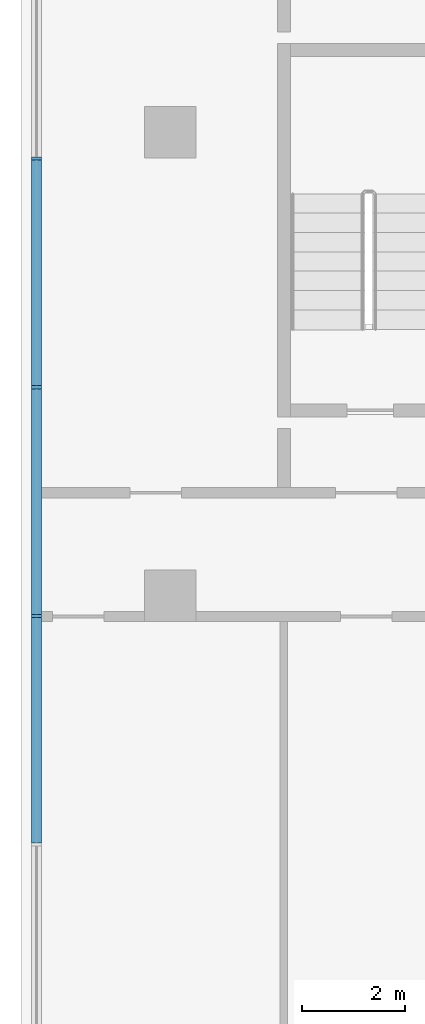
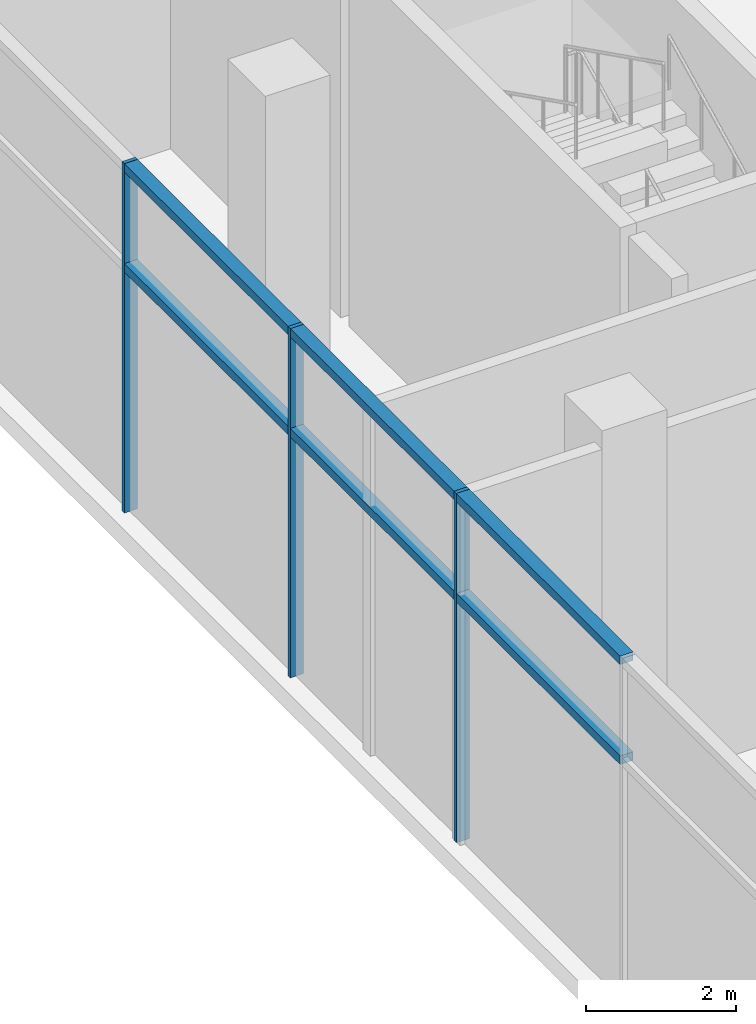
# One storey, part 3 of 22: 9 members, 1 element without a shape of its own.
"""IFC4 building model written with IfcOpenShell, lengths in metres."""

from ifc_helpers import new_model, si_unit, direction, frame, origin, origin_2d, place, context, subcontext, project, spatial, rectangle, extrude, material, material_profile, profile_set, type_object, element, aggregate, save


model = new_model("IFC4")

# Units and contexts
model_context = context("Model", 3, precision=1e-05, world=origin(), true_north=direction((0.0, 1.0)))
body_context = subcontext(model_context, "Body", "Model", "MODEL_VIEW")
ifc_project = project(units=[si_unit("LENGTHUNIT", "METRE"), si_unit("AREAUNIT", "SQUARE_METRE"), si_unit("VOLUMEUNIT", "CUBIC_METRE"), si_unit("PLANEANGLEUNIT", "RADIAN"), si_unit("MASSUNIT", "GRAM", prefix="KILO")], contexts=[model_context])

# Site, building, storey
site_placement = place(None, origin())
site = spatial("IfcSite", under=ifc_project, at=site_placement, CompositionType="ELEMENT")
building_placement = place(site_placement, origin())
building = spatial("IfcBuilding", under=site, at=building_placement, Name="Bicima Exchange Tower", CompositionType="ELEMENT")
storey_placement = place(building_placement, frame((0.0, 0.0, 14.0)))
storey = spatial("IfcBuildingStorey", under=building, at=storey_placement, Name="L02", CompositionType="ELEMENT", Elevation=14.0)

# Curtain wall, members
ifc_material = material(Name="Anodised bronze aluminium", Category="aluminium")
curtain_wall_type = type_object("IfcCurtainWallType", Name="Lobby glazing", PredefinedType="NOTDEFINED", material=ifc_material)
curtain_wall_placement = place(storey_placement, origin())
curtain_wall = element("IfcCurtainWall", 1, at=curtain_wall_placement, inside=storey, type_object=curtain_wall_type, Name="Podium glazing L02 west 1", PredefinedType="NOTDEFINED")
ifc_material_profile_1 = material_profile(ifc_material, rectangle(XDim=0.199951171875, YDim=0.06005859375, at=origin_2d()))
ifc_profile_set_1 = profile_set([ifc_material_profile_1], Name="Anodised bronze aluminium")
member_type_1 = type_object("IfcMemberType", Name="Lobby glazing mullion 60 x 200", PredefinedType="MULLION", material=ifc_profile_set_1)
member_1_placement = place(storey_placement, frame((-46.10009765625, -22.51318359375, 0.0), z_axis=(0.0, 0.0, 1.0), x_axis=(1.0, 0.0, 0.0)))
member_1 = element("IfcMember", 2, at=member_1_placement, type_object=member_type_1, Name="Lobby glazing mullion 6", PredefinedType="MULLION", context=body_context, shape_type="SweptSolid", body=[
    extrude(rectangle(XDim=0.199951171875, YDim=0.06005859375, at=origin_2d()), origin(), (0.0, 0.0, 1.0), 5.699951171875),
])
member_2_placement = place(storey_placement, frame((-46.10009765625, -26.949951171875, 0.0), z_axis=(0.0, 0.0, 1.0), x_axis=(1.0, 0.0, 0.0)))
member_2 = element("IfcMember", 3, at=member_2_placement, type_object=member_type_1, Name="Lobby glazing mullion 7", PredefinedType="MULLION", context=body_context, shape_type="SweptSolid", body=[
    extrude(rectangle(XDim=0.199951171875, YDim=0.06005859375, at=origin_2d()), origin(), (0.0, 0.0, 1.0), 5.699951171875),
])
member_3_placement = place(storey_placement, frame((-46.10009765625, -31.38671875, 0.0), z_axis=(0.0, 0.0, 1.0), x_axis=(1.0, 0.0, 0.0)))
member_3 = element("IfcMember", 4, at=member_3_placement, type_object=member_type_1, Name="Lobby glazing mullion 8", PredefinedType="MULLION", context=body_context, shape_type="SweptSolid", body=[
    extrude(rectangle(XDim=0.199951171875, YDim=0.06005859375, at=origin_2d()), origin(), (0.0, 0.0, 1.0), 5.699951171875),
])
ifc_material_profile_2 = material_profile(ifc_material, rectangle(XDim=0.199951171875, YDim=0.139892578125, at=origin_2d()))
ifc_profile_set_2 = profile_set([ifc_material_profile_2], Name="Anodised bronze aluminium")
member_type_2 = type_object("IfcMemberType", Name="Lobby glazing transom 140 x 200", PredefinedType="USERDEFINED", material=ifc_profile_set_2)
member_4_placement = place(storey_placement, frame((-46.10009765625, -22.543212890625, 4.0), z_axis=(0.0, -1.0, 0.0), x_axis=(1.0, 0.0, 0.0)))
member_4 = element("IfcMember", 5, at=member_4_placement, type_object=member_type_2, Name="Lobby glazing transom 6.1", ObjectType="TRANSOM", PredefinedType="USERDEFINED", context=body_context, shape_type="SweptSolid", body=[
    extrude(rectangle(XDim=0.199951171875, YDim=0.139892578125, at=origin_2d()), origin(), (0.0, 0.0, 1.0), 4.376708984375),
])
member_5_placement = place(storey_placement, frame((-46.10009765625, -22.543212890625, 5.6298828125), z_axis=(0.0, -1.0, 0.0), x_axis=(1.0, 0.0, 0.0)))
member_5 = element("IfcMember", 6, at=member_5_placement, type_object=member_type_2, Name="Lobby glazing transom 6.2", ObjectType="TRANSOM", PredefinedType="USERDEFINED", context=body_context, shape_type="SweptSolid", body=[
    extrude(rectangle(XDim=0.199951171875, YDim=0.139892578125, at=origin_2d()), origin(), (0.0, 0.0, 1.0), 4.376708984375),
])
member_6_placement = place(storey_placement, frame((-46.10009765625, -26.97998046875, 4.0), z_axis=(0.0, -1.0, 0.0), x_axis=(1.0, 0.0, 0.0)))
member_6 = element("IfcMember", 7, at=member_6_placement, type_object=member_type_2, Name="Lobby glazing transom 7.1", ObjectType="TRANSOM", PredefinedType="USERDEFINED", context=body_context, shape_type="SweptSolid", body=[
    extrude(rectangle(XDim=0.199951171875, YDim=0.139892578125, at=origin_2d()), origin(), (0.0, 0.0, 1.0), 4.376708984375),
])
member_7_placement = place(storey_placement, frame((-46.10009765625, -26.97998046875, 5.6298828125), z_axis=(0.0, -1.0, 0.0), x_axis=(1.0, 0.0, 0.0)))
member_7 = element("IfcMember", 8, at=member_7_placement, type_object=member_type_2, Name="Lobby glazing transom 7.2", ObjectType="TRANSOM", PredefinedType="USERDEFINED", context=body_context, shape_type="SweptSolid", body=[
    extrude(rectangle(XDim=0.199951171875, YDim=0.139892578125, at=origin_2d()), origin(), (0.0, 0.0, 1.0), 4.376708984375),
])
member_8_placement = place(storey_placement, frame((-46.10009765625, -31.416748046875, 4.0), z_axis=(0.0, -1.0, 0.0), x_axis=(1.0, 0.0, 0.0)))
member_8 = element("IfcMember", 9, at=member_8_placement, type_object=member_type_2, Name="Lobby glazing transom 8.1", ObjectType="TRANSOM", PredefinedType="USERDEFINED", context=body_context, shape_type="SweptSolid", body=[
    extrude(rectangle(XDim=0.199951171875, YDim=0.139892578125, at=origin_2d()), origin(), (0.0, 0.0, 1.0), 4.37646484375),
])
member_9_placement = place(storey_placement, frame((-46.10009765625, -31.416748046875, 5.6298828125), z_axis=(0.0, -1.0, 0.0), x_axis=(1.0, 0.0, 0.0)))
member_9 = element("IfcMember", 10, at=member_9_placement, type_object=member_type_2, Name="Lobby glazing transom 8.2", ObjectType="TRANSOM", PredefinedType="USERDEFINED", context=body_context, shape_type="SweptSolid", body=[
    extrude(rectangle(XDim=0.199951171875, YDim=0.139892578125, at=origin_2d()), origin(), (0.0, 0.0, 1.0), 4.37646484375),
])
aggregate(curtain_wall, [member_1, member_2, member_3, member_4, member_5, member_6, member_7, member_8, member_9])

save(model, "model.ifc")
